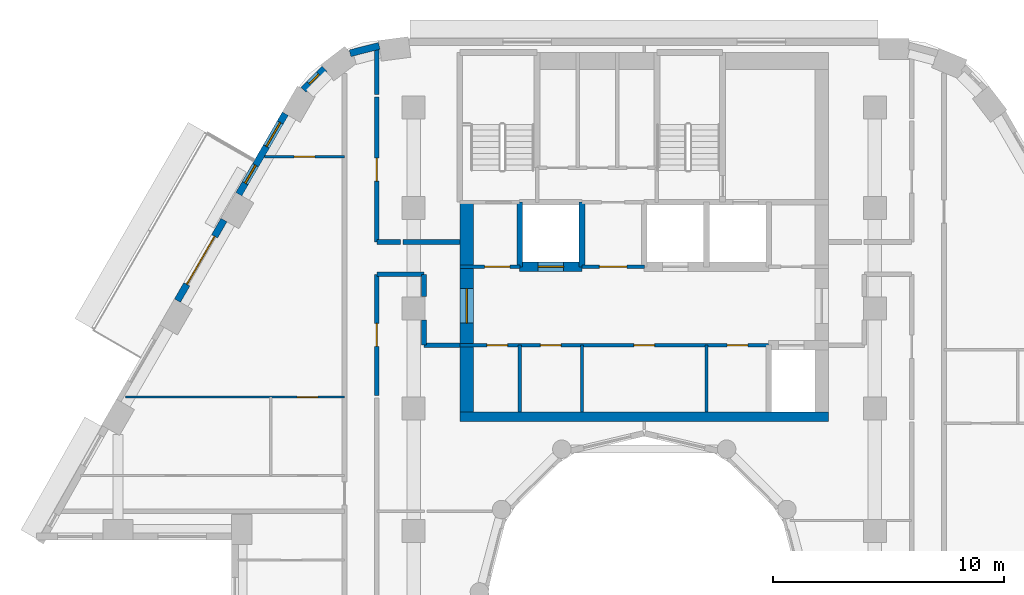
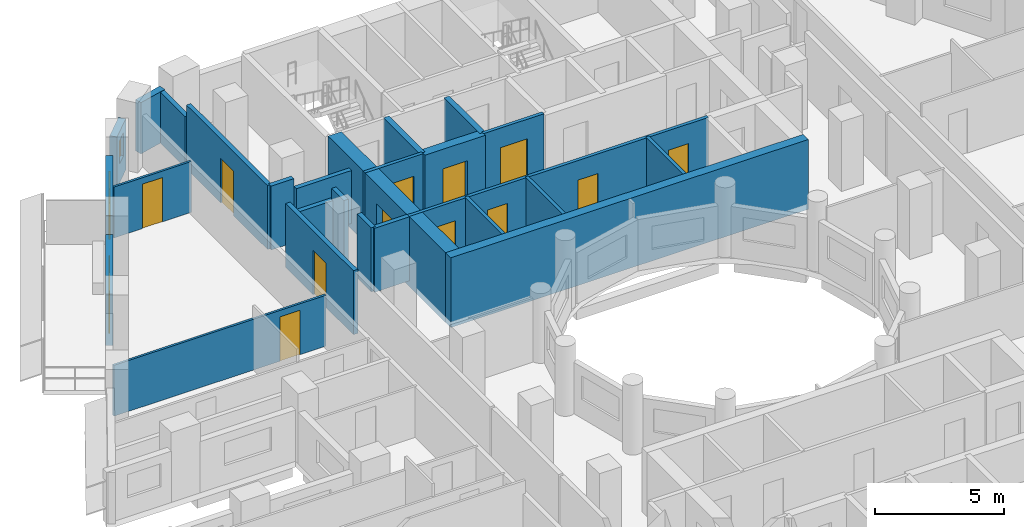
# One storey, part 7 of 13: 26 walls, 13 doors, 3 windows, 16 openings.
"""IFC4 building model written with IfcOpenShell, lengths in metres."""

from ifc_helpers import new_model, si_unit, direction, frame, frame_2d, origin, place, context, subcontext, project, spatial, rectangle, extrude, material, layer, layer_set, type_object, element, fill, save


model = new_model("IFC4")

# Units and contexts
model_context = context("Model", 3, precision=1e-05, world=origin(), true_north=direction((0.0, 1.0)))
body_context = subcontext(model_context, "Body", "Model", "MODEL_VIEW")
ifc_project = project(units=[si_unit("LENGTHUNIT", "METRE"), si_unit("AREAUNIT", "SQUARE_METRE"), si_unit("VOLUMEUNIT", "CUBIC_METRE"), si_unit("PLANEANGLEUNIT", "RADIAN"), si_unit("MASSUNIT", "GRAM", prefix="KILO")], contexts=[model_context])

# Site, building, storey
site_placement = place(None, origin())
site = spatial("IfcSite", under=ifc_project, at=site_placement, CompositionType="ELEMENT")
building_placement = place(site_placement, origin())
building = spatial("IfcBuilding", under=site, at=building_placement, Name="Nakaniwa Court", CompositionType="ELEMENT")
storey_placement = place(building_placement, frame((0.0, 0.0, 143.699951171875)))
storey = spatial("IfcBuildingStorey", under=building, at=storey_placement, Name="L37", CompositionType="ELEMENT", Elevation=143.699951171875)

# Walls
ifc_material_1 = material(Name="Acoustic double stud partition")
ifc_layer_1 = layer(ifc_material_1, 0.199951171875)
ifc_layer_set_1 = layer_set([ifc_layer_1], Name="Acoustic double stud partition")
wall_type_1 = type_object("IfcWallType", Name="Acoustic double stud partition 200", PredefinedType="PARTITIONING", material=ifc_layer_set_1)
wall_1_placement = place(storey_placement, frame((68.39990234375, 93.77490234375, 0.0), z_axis=(0.0, 0.0, 1.0), x_axis=(1.0, 0.0, 0.0)))
element("IfcWall", 1, at=wall_1_placement, inside=storey, type_object=wall_type_1, Name="Partition PW-092", PredefinedType="PARTITIONING", context=body_context, shape_type="SweptSolid", body=[
    extrude(rectangle(XDim=2.050048828125, YDim=0.199951171875, at=frame_2d((1.02490234375, 0.0))), origin(), (0.0, 0.0, 1.0), 2.505126953125),
])
wall_2_placement = place(storey_placement, frame((70.449951171875, 90.699951171875, 0.0), z_axis=(0.0, 0.0, 1.0), x_axis=(1.0, 0.0, 0.0)))
element("IfcWall", 2, at=wall_2_placement, inside=storey, type_object=wall_type_1, Name="Partition PW-094", PredefinedType="PARTITIONING", context=body_context, shape_type="SweptSolid", body=[
    extrude(rectangle(XDim=1.550048828125, YDim=0.199951171875, at=frame_2d((0.77490234375, 0.0))), origin(), (0.0, 0.0, 1.0), 3.025146484375),
])
wall_3_placement = place(storey_placement, frame((68.39990234375, 95.175048828125, 0.0), z_axis=(0.0, 0.0, 1.0), x_axis=(1.0, 0.0, 0.0)))
element("IfcWall", 3, at=wall_3_placement, inside=storey, type_object=wall_type_1, Name="Partition PW-096", PredefinedType="PARTITIONING", context=body_context, shape_type="SweptSolid", body=[
    extrude(rectangle(XDim=1.02294921875, YDim=0.199951171875, at=frame_2d((0.511474609375, 0.0))), origin(), (0.0, 0.0, 1.0), 3.025146484375),
])
wall_4_placement = place(storey_placement, frame((69.537109375, 95.175048828125, 0.0), z_axis=(0.0, 0.0, 1.0), x_axis=(1.0, 0.0, 0.0)))
element("IfcWall", 4, at=wall_4_placement, inside=storey, type_object=wall_type_1, Name="Partition PW-097", PredefinedType="PARTITIONING", context=body_context, shape_type="SweptSolid", body=[
    extrude(rectangle(XDim=2.462890625, YDim=0.199951171875, at=frame_2d((1.2314453125, 0.0))), origin(), (0.0, 0.0, 1.0), 2.505126953125),
])

# Wall, opening, door
wall_5_placement = place(storey_placement, frame((68.39990234375, 93.77490234375, 0.0), z_axis=(0.0, 0.0, 1.0), x_axis=(0.0, -1.0, 0.0)))
wall_5 = element("IfcWall", 5, at=wall_5_placement, inside=storey, type_object=wall_type_1, Name="Partition PW-105", PredefinedType="PARTITIONING", context=body_context, shape_type="SweptSolid", body=[
    extrude(rectangle(XDim=5.247802734375, YDim=0.199951171875, at=frame_2d((2.6240234375, 0.0))), origin(), (0.0, 0.0, 1.0), 3.025146484375),
])
opening_1_placement = place(wall_5_placement, frame((2.123046875, 0.0, 0.0)))
opening_1 = element("IfcOpeningElement", 6, at=opening_1_placement, cuts=wall_5, Name="Opening D-02-08", PredefinedType="OPENING", context=body_context, shape_type="SweptSolid", body=[
    extrude(rectangle(XDim=1.0, YDim=2.10009765625, at=frame_2d((0.5, 1.050048828125))), frame((0.0, 0.10986328125, 0.0), z_axis=(0.0, -1.0, 0.0), x_axis=(1.0, 0.0, 0.0)), (0.0, 0.0, 1.0), 0.219970703125),
])
ifc_material_2 = material(Name="Solid core timber door set, black veneer", Category="wood")
door_type_1 = type_object("IfcDoorType", Name="Internal door 1000", OperationType="NOTDEFINED", PredefinedType="DOOR", material=ifc_material_2)
door_1_placement = place(opening_1_placement, origin())
door_1 = element("IfcDoor", 7, at=door_1_placement, inside=storey, type_object=door_type_1, Name="Door D-02-08 L37-044", OperationType="SINGLE_SWING_LEFT", OverallHeight=2.10009765625, OverallWidth=1.0, PredefinedType="DOOR", context=body_context, shape_type="SweptSolid", body=[
    extrude(rectangle(XDim=1.0, YDim=2.10009765625, at=frame_2d((0.5, 1.050048828125))), frame((0.0, 0.02490234375, 0.0), z_axis=(0.0, -1.0, 0.0), x_axis=(1.0, 0.0, 0.0)), (0.0, 0.0, 1.0), 0.050048828125),
])
fill(opening_1, door_1)

wall_6_placement = place(storey_placement, frame((68.39990234375, 101.462890625, 0.0), z_axis=(0.0, 0.0, 1.0), x_axis=(0.0, -1.0, 0.0)))
wall_6 = element("IfcWall", 8, at=wall_6_placement, inside=storey, type_object=wall_type_1, Name="Partition PW-106", PredefinedType="PARTITIONING", context=body_context, shape_type="SweptSolid", body=[
    extrude(rectangle(XDim=6.287841796875, YDim=0.199951171875, at=frame_2d((3.14404296875, 0.0))), origin(), (0.0, 0.0, 1.0), 3.025146484375),
])
opening_2_placement = place(wall_6_placement, frame((2.64501953125, 0.0, 0.0)))
opening_2 = element("IfcOpeningElement", 9, at=opening_2_placement, cuts=wall_6, Name="Opening D-02-12", PredefinedType="OPENING", context=body_context, shape_type="SweptSolid", body=[
    extrude(rectangle(XDim=1.0, YDim=2.10009765625, at=frame_2d((0.5, 1.050048828125))), frame((0.0, 0.10986328125, 0.0), z_axis=(0.0, -1.0, 0.0), x_axis=(1.0, 0.0, 0.0)), (0.0, 0.0, 1.0), 0.219970703125),
])
door_2_placement = place(opening_2_placement, origin())
door_2 = element("IfcDoor", 10, at=door_2_placement, inside=storey, type_object=door_type_1, Name="Door D-02-12 L37-053", OperationType="SINGLE_SWING_RIGHT", OverallHeight=2.10009765625, OverallWidth=1.0, PredefinedType="DOOR", context=body_context, shape_type="SweptSolid", body=[
    extrude(rectangle(XDim=1.0, YDim=2.10009765625, at=frame_2d((0.5, 1.050048828125))), frame((0.0, 0.02490234375, 0.0), z_axis=(0.0, -1.0, 0.0), x_axis=(1.0, 0.0, 0.0)), (0.0, 0.0, 1.0), 0.050048828125),
])
fill(opening_2, door_2)

# Walls
wall_7_placement = place(storey_placement, frame((68.39990234375, 101.5771484375, 0.0), z_axis=(0.0, 0.0, 1.0), x_axis=(0.0, 1.0, 0.0)))
element("IfcWall", 11, at=wall_7_placement, inside=storey, type_object=wall_type_1, Name="Partition PW-107", PredefinedType="PARTITIONING", context=body_context, shape_type="SweptSolid", body=[
    extrude(rectangle(XDim=2.02197265625, YDim=0.199951171875, at=frame_2d((1.010986328125, 0.0))), origin(), (0.0, 0.0, 1.0), 2.405029296875),
])
wall_8_placement = place(storey_placement, frame((70.449951171875, 90.699951171875, 0.0), z_axis=(0.0, 0.0, 1.0), x_axis=(0.0, 1.0, 0.0)))
element("IfcWall", 12, at=wall_8_placement, inside=storey, type_object=wall_type_1, Name="Partition PW-111", PredefinedType="PARTITIONING", context=body_context, shape_type="SweptSolid", body=[
    extrude(rectangle(XDim=1.082763671875, YDim=0.199951171875, at=frame_2d((0.54150390625, 0.0))), origin(), (0.0, 0.0, 1.0), 3.025146484375),
])
wall_9_placement = place(storey_placement, frame((70.449951171875, 92.817138671875, 0.0), z_axis=(0.0, 0.0, 1.0), x_axis=(0.0, 1.0, 0.0)))
element("IfcWall", 13, at=wall_9_placement, inside=storey, type_object=wall_type_1, Name="Partition PW-112", PredefinedType="PARTITIONING", context=body_context, shape_type="SweptSolid", body=[
    extrude(rectangle(XDim=0.957763671875, YDim=0.199951171875, at=frame_2d((0.47900390625, 0.0))), origin(), (0.0, 0.0, 1.0), 3.025146484375),
])
ifc_material_3 = material(Name="Charcoal ceramic cladding")
ifc_layer_2 = layer(ifc_material_3, 0.02, Name="Ceramic cladding")
ifc_material_4 = material(Name="Ventilated air cavity")
ifc_layer_3 = layer(ifc_material_4, 0.04, ventilated=True, Name="Ventilated cavity")
ifc_material_5 = material(Name="Mineral wool insulation")
ifc_layer_4 = layer(ifc_material_5, 0.1, Name="Insulation")
ifc_material_6 = material(Name="Cement bonded sheathing board")
ifc_layer_5 = layer(ifc_material_6, 0.012, Name="Sheathing")
ifc_material_7 = material(Name="Cold-formed galvanised stud frame with mineral wool infill")
ifc_layer_6 = layer(ifc_material_7, 0.1, Name="Stud frame")
ifc_material_8 = material(Name="Fire-rated gypsum plasterboard lining")
ifc_layer_7 = layer(ifc_material_8, 0.028, Name="Lining")
ifc_layer_set_2 = layer_set([ifc_layer_2, ifc_layer_3, ifc_layer_4, ifc_layer_5, ifc_layer_6, ifc_layer_7], Name="Charcoal ceramic faced external wall system")
wall_type_2 = type_object("IfcWallType", Name="Black ceramic faced external wall 300", PredefinedType="SOLIDWALL", material=ifc_layer_set_2)
wall_10_placement = place(storey_placement, frame((68.506103515625, 103.68310546875, 0.0), z_axis=(0.0, 0.0, 1.0), x_axis=(-0.96924493129, -0.246098076322, 0.0)))
element("IfcWall", 14, at=wall_10_placement, inside=storey, type_object=wall_type_2, Name="L37 external wall 09", PredefinedType="SOLIDWALL", context=body_context, shape_type="SweptSolid", body=[
    extrude(rectangle(XDim=1.305419921875, YDim=0.300048828125, at=frame_2d((0.65283203125, 0.0))), origin(), (0.0, 0.0, 1.0), 2.425048828125),
])

# Wall, opening, window
wall_11_placement = place(storey_placement, frame((66.12890625, 102.68798828125, 0.0), z_axis=(0.0, 0.0, 1.0), x_axis=(-0.70881270082, -0.705396735997, 0.0)))
wall_11 = element("IfcWall", 15, at=wall_11_placement, inside=storey, type_object=wall_type_2, Name="L37 external wall 10", PredefinedType="SOLIDWALL", context=body_context, shape_type="SweptSolid", body=[
    extrude(rectangle(XDim=1.286376953125, YDim=0.300048828125, at=frame_2d((0.64306640625, 0.0))), origin(), (0.0, 0.0, 1.0), 2.425048828125),
])
opening_3_placement = place(wall_11_placement, frame((0.3330078125, 0.0, 0.89990234375)))
opening_3 = element("IfcOpeningElement", 16, at=opening_3_placement, cuts=wall_11, Name="Opening W8.11", PredefinedType="OPENING", context=body_context, shape_type="SweptSolid", body=[
    extrude(rectangle(XDim=0.60009765625, YDim=1.10009765625, at=frame_2d((0.300048828125, 0.550048828125))), frame((0.0, 0.159912109375, 0.0), z_axis=(0.0, -1.0, 0.0), x_axis=(1.0, 0.0, 0.0)), (0.0, 0.0, 1.0), 0.320068359375),
])
ifc_material_9 = material(Name="Black anodised aluminium frame with dark low-E laminated double glazing", Category="aluminium")
window_type_1 = type_object("IfcWindowType", Name="Dark glass window 600x1100 sill 900", PartitioningType="SINGLE_PANEL", PredefinedType="WINDOW", material=ifc_material_9)
window_1_placement = place(opening_3_placement, origin())
window_1 = element("IfcWindow", 17, at=window_1_placement, inside=storey, type_object=window_type_1, Name="L37 habitable room window 10-0", OverallHeight=1.10009765625, OverallWidth=0.60009765625, PartitioningType="SINGLE_PANEL", PredefinedType="WINDOW", context=body_context, shape_type="SweptSolid", body=[
    extrude(rectangle(XDim=0.60009765625, YDim=1.10009765625, at=frame_2d((0.300048828125, 0.550048828125))), frame((0.0, 0.030029296875, 0.0), z_axis=(0.0, -1.0, 0.0), x_axis=(1.0, 0.0, 0.0)), (0.0, 0.0, 1.0), 0.06005859375),
])
fill(opening_3, window_1)

# Wall, openings, windows
wall_12_placement = place(storey_placement, frame((64.434814453125, 100.739990234375, 0.0), z_axis=(0.0, 0.0, 1.0), x_axis=(-0.500031546601, -0.86600718958, 0.0)))
wall_12 = element("IfcWall", 18, at=wall_12_placement, inside=storey, type_object=wall_type_2, Name="L37 external wall 11", PredefinedType="SOLIDWALL", context=body_context, shape_type="SweptSolid", body=[
    extrude(rectangle(XDim=4.033935546875, YDim=0.300048828125, at=frame_2d((2.01708984375, 0.0))), origin(), (0.0, 0.0, 1.0), 2.425048828125),
])
opening_4_placement = place(wall_12_placement, frame((0.439453125, 0.0, 0.89990234375)))
opening_4 = element("IfcOpeningElement", 19, at=opening_4_placement, cuts=wall_12, Name="Opening W6.12", PredefinedType="OPENING", context=body_context, shape_type="SweptSolid", body=[
    extrude(rectangle(XDim=1.199951171875, YDim=1.10009765625, at=frame_2d((0.60009765625, 0.550048828125))), frame((0.0, 0.159912109375, 0.0), z_axis=(0.0, -1.0, 0.0), x_axis=(1.0, 0.0, 0.0)), (0.0, 0.0, 1.0), 0.320068359375),
])
opening_5_placement = place(wall_12_placement, frame((2.58251953125, 0.0, 0.89990234375)))
opening_5 = element("IfcOpeningElement", 20, at=opening_5_placement, cuts=wall_12, Name="Opening W9.13", PredefinedType="OPENING", context=body_context, shape_type="SweptSolid", body=[
    extrude(rectangle(XDim=0.89990234375, YDim=1.10009765625, at=frame_2d((0.449951171875, 0.550048828125))), frame((0.0, 0.159912109375, 0.0), z_axis=(0.0, -1.0, 0.0), x_axis=(1.0, 0.0, 0.0)), (0.0, 0.0, 1.0), 0.320068359375),
])
window_type_2 = type_object("IfcWindowType", Name="Dark glass window 1200x1100 sill 900", PartitioningType="SINGLE_PANEL", PredefinedType="WINDOW", material=ifc_material_9)
window_2_placement = place(opening_4_placement, origin())
window_2 = element("IfcWindow", 21, at=window_2_placement, inside=storey, type_object=window_type_2, Name="L37 habitable room window 11-0", OverallHeight=1.10009765625, OverallWidth=1.199951171875, PartitioningType="SINGLE_PANEL", PredefinedType="WINDOW", context=body_context, shape_type="SweptSolid", body=[
    extrude(rectangle(XDim=1.199951171875, YDim=1.10009765625, at=frame_2d((0.60009765625, 0.550048828125))), frame((0.0, 0.030029296875, 0.0), z_axis=(0.0, -1.0, 0.0), x_axis=(1.0, 0.0, 0.0)), (0.0, 0.0, 1.0), 0.06005859375),
])
fill(opening_4, window_2)
window_type_3 = type_object("IfcWindowType", Name="Dark glass window 900x1100 sill 900", PartitioningType="SINGLE_PANEL", PredefinedType="WINDOW", material=ifc_material_9)
window_3_placement = place(opening_5_placement, origin())
window_3 = element("IfcWindow", 22, at=window_3_placement, inside=storey, type_object=window_type_3, Name="L37 living window 11-1", OverallHeight=1.10009765625, OverallWidth=0.89990234375, PartitioningType="SINGLE_PANEL", PredefinedType="WINDOW", context=body_context, shape_type="SweptSolid", body=[
    extrude(rectangle(XDim=0.89990234375, YDim=1.10009765625, at=frame_2d((0.449951171875, 0.550048828125))), frame((0.0, 0.030029296875, 0.0), z_axis=(0.0, -1.0, 0.0), x_axis=(1.0, 0.0, 0.0)), (0.0, 0.0, 1.0), 0.06005859375),
])
fill(opening_5, window_3)

# Wall, opening, door
wall_13_placement = place(storey_placement, frame((61.771728515625, 96.127685546875, 0.0), z_axis=(0.0, 0.0, 1.0), x_axis=(-0.500031546601, -0.86600718958, 0.0)))
wall_13 = element("IfcWall", 23, at=wall_13_placement, inside=storey, type_object=wall_type_2, Name="L37 external wall 12", PredefinedType="SOLIDWALL", context=body_context, shape_type="SweptSolid", body=[
    extrude(rectangle(XDim=4.033935546875, YDim=0.300048828125, at=frame_2d((2.01708984375, 0.0))), origin(), (0.0, 0.0, 1.0), 2.425048828125),
])
opening_6_placement = place(wall_13_placement, frame((0.81689453125, 0.0, 0.0)))
opening_6 = element("IfcOpeningElement", 24, at=opening_6_placement, cuts=wall_13, Name="Opening XD13.01", PredefinedType="OPENING", context=body_context, shape_type="SweptSolid", body=[
    extrude(rectangle(XDim=2.39990234375, YDim=2.0, at=frame_2d((1.199951171875, 1.0))), frame((0.0, 0.159912109375, 0.0), z_axis=(0.0, -1.0, 0.0), x_axis=(1.0, 0.0, 0.0)), (0.0, 0.0, 1.0), 0.320068359375),
])
ifc_material_10 = material(Name="Black powder-coated aluminium frame with dark laminated glass", Category="aluminium")
door_type_2 = type_object("IfcDoorType", Name="Balcony sliding door 2400x2000", OperationType="DOUBLE_DOOR_SLIDING", PredefinedType="DOOR", material=ifc_material_10)
door_3_placement = place(opening_6_placement, origin())
door_3 = element("IfcDoor", 25, at=door_3_placement, inside=storey, type_object=door_type_2, Name="L37 balcony sliding door 01", OperationType="DOUBLE_DOOR_SLIDING", OverallHeight=2.0, OverallWidth=2.39990234375, PredefinedType="DOOR", context=body_context, shape_type="SweptSolid", body=[
    extrude(rectangle(XDim=2.39990234375, YDim=2.0, at=frame_2d((1.199951171875, 1.0))), frame((0.0, 0.02490234375, 0.0), z_axis=(0.0, -1.0, 0.0), x_axis=(1.0, 0.0, 0.0)), (0.0, 0.0, 1.0), 0.050048828125),
])
fill(opening_6, door_3)

# Wall
ifc_material_11 = material(Name="Blockwork partition", Category="masonry")
ifc_layer_8 = layer(ifc_material_11, 0.14990234375)
ifc_layer_set_3 = layer_set([ifc_layer_8], Name="Blockwork partition")
wall_type_3 = type_object("IfcWallType", Name="Blockwork partition 150", PredefinedType="PARTITIONING", material=ifc_layer_set_3)
wall_14_placement = place(storey_placement, frame((74.60009765625, 87.800048828125, 0.0), z_axis=(0.0, 0.0, 1.0), x_axis=(0.0, 1.0, 0.0)))
element("IfcWall", 26, at=wall_14_placement, inside=storey, type_object=wall_type_3, Name="Partition PW-001", PredefinedType="PARTITIONING", context=body_context, shape_type="SweptSolid", body=[
    extrude(rectangle(XDim=2.89990234375, YDim=0.14990234375, at=frame_2d((1.449951171875, 0.0))), origin(), (0.0, 0.0, 1.0), 3.025146484375),
])

# Wall, openings, doors
wall_15_placement = place(storey_placement, frame((85.39990234375, 90.699951171875, 0.0), z_axis=(0.0, 0.0, 1.0), x_axis=(-1.0, 0.0, 0.0)))
wall_15 = element("IfcWall", 27, at=wall_15_placement, inside=storey, type_object=wall_type_3, Name="Partition PW-002", PredefinedType="PARTITIONING", context=body_context, shape_type="SweptSolid", body=[
    extrude(rectangle(XDim=13.39990234375, YDim=0.14990234375, at=frame_2d((6.699951171875, 0.0))), origin(), (0.0, 0.0, 1.0), 3.025146484375),
])
opening_7_placement = place(wall_15_placement, frame((11.324951171875, 0.0, 0.0)))
opening_7 = element("IfcOpeningElement", 28, at=opening_7_placement, cuts=wall_15, Name="Opening D-05-01", PredefinedType="OPENING", context=body_context, shape_type="SweptSolid", body=[
    extrude(rectangle(XDim=0.89990234375, YDim=2.10009765625, at=frame_2d((0.449951171875, 1.050048828125))), frame((0.0, 0.0849609375, 0.0), z_axis=(0.0, -1.0, 0.0), x_axis=(1.0, 0.0, 0.0)), (0.0, 0.0, 1.0), 0.169921875),
])
opening_8_placement = place(wall_15_placement, frame((9.0, 0.0, 0.0)))
opening_8 = element("IfcOpeningElement", 29, at=opening_8_placement, cuts=wall_15, Name="Opening D-05-02", PredefinedType="OPENING", context=body_context, shape_type="SweptSolid", body=[
    extrude(rectangle(XDim=0.89990234375, YDim=2.10009765625, at=frame_2d((0.449951171875, 1.050048828125))), frame((0.0, 0.0849609375, 0.0), z_axis=(0.0, -1.0, 0.0), x_axis=(1.0, 0.0, 0.0)), (0.0, 0.0, 1.0), 0.169921875),
])
opening_9_placement = place(wall_15_placement, frame((4.949951171875, 0.0, 0.0)))
opening_9 = element("IfcOpeningElement", 30, at=opening_9_placement, cuts=wall_15, Name="Opening D-05-03", PredefinedType="OPENING", context=body_context, shape_type="SweptSolid", body=[
    extrude(rectangle(XDim=0.89990234375, YDim=2.10009765625, at=frame_2d((0.449951171875, 1.050048828125))), frame((0.0, 0.0849609375, 0.0), z_axis=(0.0, -1.0, 0.0), x_axis=(1.0, 0.0, 0.0)), (0.0, 0.0, 1.0), 0.169921875),
])
opening_10_placement = place(wall_15_placement, frame((0.89990234375, 0.0, 0.0)))
opening_10 = element("IfcOpeningElement", 31, at=opening_10_placement, cuts=wall_15, Name="Opening D-05-04", PredefinedType="OPENING", context=body_context, shape_type="SweptSolid", body=[
    extrude(rectangle(XDim=0.89990234375, YDim=2.10009765625, at=frame_2d((0.449951171875, 1.050048828125))), frame((0.0, 0.0849609375, 0.0), z_axis=(0.0, -1.0, 0.0), x_axis=(1.0, 0.0, 0.0)), (0.0, 0.0, 1.0), 0.169921875),
])
ifc_material_12 = material(Name="Fire rated steel door set", Category="steel")
door_type_3 = type_object("IfcDoorType", Name="Service room door 900", OperationType="NOTDEFINED", PredefinedType="DOOR", material=ifc_material_12)
door_4_placement = place(opening_7_placement, origin())
door_4 = element("IfcDoor", 32, at=door_4_placement, inside=storey, type_object=door_type_3, Name="Door D-05-01 L37-001", OperationType="SINGLE_SWING_RIGHT", OverallHeight=2.10009765625, OverallWidth=0.89990234375, PredefinedType="DOOR", context=body_context, shape_type="SweptSolid", body=[
    extrude(rectangle(XDim=0.89990234375, YDim=2.10009765625, at=frame_2d((0.449951171875, 1.050048828125))), frame((0.0, 0.02490234375, 0.0), z_axis=(0.0, -1.0, 0.0), x_axis=(1.0, 0.0, 0.0)), (0.0, 0.0, 1.0), 0.050048828125),
])
fill(opening_7, door_4)
door_5_placement = place(opening_8_placement, origin())
door_5 = element("IfcDoor", 33, at=door_5_placement, inside=storey, type_object=door_type_3, Name="Door D-05-02 L37-002", OperationType="SINGLE_SWING_LEFT", OverallHeight=2.10009765625, OverallWidth=0.89990234375, PredefinedType="DOOR", context=body_context, shape_type="SweptSolid", body=[
    extrude(rectangle(XDim=0.89990234375, YDim=2.10009765625, at=frame_2d((0.449951171875, 1.050048828125))), frame((0.0, 0.02490234375, 0.0), z_axis=(0.0, -1.0, 0.0), x_axis=(1.0, 0.0, 0.0)), (0.0, 0.0, 1.0), 0.050048828125),
])
fill(opening_8, door_5)
door_6_placement = place(opening_9_placement, origin())
door_6 = element("IfcDoor", 34, at=door_6_placement, inside=storey, type_object=door_type_3, Name="Door D-05-03 L37-003", OperationType="SINGLE_SWING_RIGHT", OverallHeight=2.10009765625, OverallWidth=0.89990234375, PredefinedType="DOOR", context=body_context, shape_type="SweptSolid", body=[
    extrude(rectangle(XDim=0.89990234375, YDim=2.10009765625, at=frame_2d((0.449951171875, 1.050048828125))), frame((0.0, 0.02490234375, 0.0), z_axis=(0.0, -1.0, 0.0), x_axis=(1.0, 0.0, 0.0)), (0.0, 0.0, 1.0), 0.050048828125),
])
fill(opening_9, door_6)
door_7_placement = place(opening_10_placement, origin())
door_7 = element("IfcDoor", 35, at=door_7_placement, inside=storey, type_object=door_type_3, Name="Door D-05-04 L37-004", OperationType="SINGLE_SWING_LEFT", OverallHeight=2.10009765625, OverallWidth=0.89990234375, PredefinedType="DOOR", context=body_context, shape_type="SweptSolid", body=[
    extrude(rectangle(XDim=0.89990234375, YDim=2.10009765625, at=frame_2d((0.449951171875, 1.050048828125))), frame((0.0, 0.02490234375, 0.0), z_axis=(0.0, -1.0, 0.0), x_axis=(1.0, 0.0, 0.0)), (0.0, 0.0, 1.0), 0.050048828125),
])
fill(opening_10, door_7)

# Walls
for number, where, z_axis, x_axis, name in (
    (36, (77.300048828125, 87.800048828125, 0.0), (0.0, 0.0, 1.0), (0.0, 1.0, 0.0), "Partition PW-008"),
    (37, (82.699951171875, 87.800048828125, 0.0), (0.0, 0.0, 1.0), (0.0, 1.0, 0.0), "Partition PW-009"),
):
    element("IfcWall", number, at=place(storey_placement, frame(where, z_axis=z_axis, x_axis=x_axis)), inside=storey, type_object=wall_type_3, Name=name, PredefinedType="PARTITIONING", context=body_context, shape_type="SweptSolid", body=[
        extrude(rectangle(XDim=2.89990234375, YDim=0.14990234375, at=frame_2d((1.449951171875, 0.0))), origin(), (0.0, 0.0, 1.0), 3.025146484375),
    ])

# Wall, opening, door
wall_16_placement = place(storey_placement, frame((72.0, 94.10009765625, 0.0), z_axis=(0.0, 0.0, 1.0), x_axis=(1.0, 0.0, 0.0)))
wall_16 = element("IfcWall", 38, at=wall_16_placement, inside=storey, type_object=wall_type_3, Name="Partition PW-010", PredefinedType="PARTITIONING", context=body_context, shape_type="SweptSolid", body=[
    extrude(rectangle(XDim=2.60302734375, YDim=0.14990234375, at=frame_2d((1.301513671875, 0.0))), origin(), (0.0, 0.0, 1.0), 3.025146484375),
])
opening_11_placement = place(wall_16_placement, frame((1.074951171875, 0.0, 0.0)))
opening_11 = element("IfcOpeningElement", 39, at=opening_11_placement, cuts=wall_16, Name="Opening D-08-01", PredefinedType="OPENING", context=body_context, shape_type="SweptSolid", body=[
    extrude(rectangle(XDim=1.10009765625, YDim=2.10009765625, at=frame_2d((0.550048828125, 1.050048828125))), frame((0.0, 0.0849609375, 0.0), z_axis=(0.0, -1.0, 0.0), x_axis=(1.0, 0.0, 0.0)), (0.0, 0.0, 1.0), 0.169921875),
])
door_type_4 = type_object("IfcDoorType", Name="Stair lobby door 1100", OperationType="NOTDEFINED", PredefinedType="DOOR", material=ifc_material_12)
door_8_placement = place(opening_11_placement, origin())
door_8 = element("IfcDoor", 40, at=door_8_placement, inside=storey, type_object=door_type_4, Name="Door D-08-01 L37-005", OperationType="SINGLE_SWING_RIGHT", OverallHeight=2.10009765625, OverallWidth=1.10009765625, PredefinedType="DOOR", context=body_context, shape_type="SweptSolid", body=[
    extrude(rectangle(XDim=1.10009765625, YDim=2.10009765625, at=frame_2d((0.550048828125, 1.050048828125))), frame((0.0, 0.02490234375, 0.0), z_axis=(0.0, -1.0, 0.0), x_axis=(1.0, 0.0, 0.0)), (0.0, 0.0, 1.0), 0.050048828125),
])
fill(opening_11, door_8)

wall_17_placement = place(storey_placement, frame((77.297119140625, 94.10009765625, 0.0), z_axis=(0.0, 0.0, 1.0), x_axis=(1.0, 0.0, 0.0)))
wall_17 = element("IfcWall", 41, at=wall_17_placement, inside=storey, type_object=wall_type_3, Name="Partition PW-011", PredefinedType="PARTITIONING", context=body_context, shape_type="SweptSolid", body=[
    extrude(rectangle(XDim=2.705810546875, YDim=0.14990234375, at=frame_2d((1.35302734375, 0.0))), origin(), (0.0, 0.0, 1.0), 3.025146484375),
])
opening_12_placement = place(wall_17_placement, frame((0.7529296875, 0.0, 0.0)))
opening_12 = element("IfcOpeningElement", 42, at=opening_12_placement, cuts=wall_17, Name="Opening D-06-01", PredefinedType="OPENING", context=body_context, shape_type="SweptSolid", body=[
    extrude(rectangle(XDim=1.199951171875, YDim=2.10009765625, at=frame_2d((0.60009765625, 1.050048828125))), frame((0.0, 0.0849609375, 0.0), z_axis=(0.0, -1.0, 0.0), x_axis=(1.0, 0.0, 0.0)), (0.0, 0.0, 1.0), 0.169921875),
])
ifc_material_13 = material(Name="Fire rated steel double door set", Category="steel")
door_type_5 = type_object("IfcDoorType", Name="Service passage double door 1200", OperationType="NOTDEFINED", PredefinedType="DOOR", material=ifc_material_13)
door_9_placement = place(opening_12_placement, origin())
door_9 = element("IfcDoor", 43, at=door_9_placement, inside=storey, type_object=door_type_5, Name="Door D-06-01 L37-006", OperationType="DOUBLE_DOOR_SINGLE_SWING", OverallHeight=2.10009765625, OverallWidth=1.199951171875, PredefinedType="DOOR", context=body_context, shape_type="SweptSolid", body=[
    extrude(rectangle(XDim=1.199951171875, YDim=2.10009765625, at=frame_2d((0.60009765625, 1.050048828125))), frame((0.0, 0.02490234375, 0.0), z_axis=(0.0, -1.0, 0.0), x_axis=(1.0, 0.0, 0.0)), (0.0, 0.0, 1.0), 0.050048828125),
])
fill(opening_12, door_9)

ifc_material_14 = material(Name="Concrete C80/100", Category="concrete")
ifc_layer_9 = layer(ifc_material_14, 0.60009765625)
ifc_layer_set_4 = layer_set([ifc_layer_9], Name="Concrete C80/100")
wall_type_4 = type_object("IfcWallType", Name="Concrete core side wall 600 C80", PredefinedType="SHEAR", material=ifc_layer_set_4)
wall_18_placement = place(storey_placement, frame((72.300048828125, 87.800048828125, -0.27490234375), z_axis=(0.0, 0.0, 1.0), x_axis=(0.0, 1.0, 0.0)))
wall_18 = element("IfcWall", 44, at=wall_18_placement, inside=storey, type_object=wall_type_4, Name="Core wall SW-03", PredefinedType="SHEAR", context=body_context, shape_type="SweptSolid", body=[
    extrude(rectangle(XDim=9.099853515625, YDim=0.60009765625, at=frame_2d((4.5498046875, 0.0))), origin(), (0.0, 0.0, 1.0), 3.300048828125),
])
opening_13_placement = place(wall_18_placement, frame((3.85205078125, 0.0, 0.27490234375)))
opening_13 = element("IfcOpeningElement", 45, at=opening_13_placement, cuts=wall_18, Name="Opening D-07-02", PredefinedType="OPENING", context=body_context, shape_type="SweptSolid", body=[
    extrude(rectangle(XDim=1.5, YDim=2.10009765625, at=frame_2d((0.75, 1.050048828125))), frame((0.0, 0.31005859375, 0.0), z_axis=(0.0, -1.0, 0.0), x_axis=(1.0, 0.0, 0.0)), (0.0, 0.0, 1.0), 0.6201171875),
])
ifc_material_15 = material(Name="Glazed fire rated steel double door set", Category="steel")
door_type_6 = type_object("IfcDoorType", Name="Lobby double door 1500", OperationType="NOTDEFINED", PredefinedType="DOOR", material=ifc_material_15)
door_10_placement = place(opening_13_placement, origin())
door_10 = element("IfcDoor", 46, at=door_10_placement, inside=storey, type_object=door_type_6, Name="Door D-07-02 L37-055", OperationType="DOUBLE_DOOR_SINGLE_SWING", OverallHeight=2.10009765625, OverallWidth=1.5, PredefinedType="DOOR", context=body_context, shape_type="SweptSolid", body=[
    extrude(rectangle(XDim=1.5, YDim=2.10009765625, at=frame_2d((0.75, 1.050048828125))), frame((0.0, 0.02490234375, 0.0), z_axis=(0.0, -1.0, 0.0), x_axis=(1.0, 0.0, 0.0)), (0.0, 0.0, 1.0), 0.050048828125),
])
fill(opening_13, door_10)

ifc_layer_10 = layer(ifc_material_14, 0.39990234375)
ifc_layer_set_5 = layer_set([ifc_layer_10], Name="Concrete C80/100")
wall_type_5 = type_object("IfcWallType", Name="Concrete core spine wall 400 C80", PredefinedType="SHEAR", material=ifc_layer_set_5)
wall_19_placement = place(storey_placement, frame((74.596923828125, 94.10009765625, -0.27490234375), z_axis=(0.0, 0.0, 1.0), x_axis=(1.0, 0.0, 0.0)))
wall_19 = element("IfcWall", 47, at=wall_19_placement, inside=storey, type_object=wall_type_5, Name="Core wall SW-13", PredefinedType="SHEAR", context=body_context, shape_type="SweptSolid", body=[
    extrude(rectangle(XDim=2.7060546875, YDim=0.39990234375, at=frame_2d((1.35302734375, 0.0))), origin(), (0.0, 0.0, 1.0), 3.300048828125),
])
opening_14_placement = place(wall_19_placement, frame((0.802978515625, 0.0, 0.27490234375)))
opening_14 = element("IfcOpeningElement", 48, at=opening_14_placement, cuts=wall_19, Name="Opening LD02", PredefinedType="OPENING", context=body_context, shape_type="SweptSolid", body=[
    extrude(rectangle(XDim=1.10009765625, YDim=2.10009765625, at=frame_2d((0.550048828125, 1.050048828125))), frame((0.0, 0.2099609375, 0.0), z_axis=(0.0, -1.0, 0.0), x_axis=(1.0, 0.0, 0.0)), (0.0, 0.0, 1.0), 0.419921875),
])
ifc_material_16 = material(Name="Stainless steel sliding lift landing door", Category="steel")
door_type_7 = type_object("IfcDoorType", Name="Lift landing door 1100", OperationType="NOTDEFINED", PredefinedType="DOOR", material=ifc_material_16)
door_11_placement = place(opening_14_placement, origin())
door_11 = element("IfcDoor", 49, at=door_11_placement, inside=storey, type_object=door_type_7, Name="Lift landing door LD02 L37-002", OperationType="SLIDING_TO_LEFT", OverallHeight=2.10009765625, OverallWidth=1.10009765625, PredefinedType="DOOR", context=body_context, shape_type="SweptSolid", body=[
    extrude(rectangle(XDim=1.10009765625, YDim=2.10009765625, at=frame_2d((0.550048828125, 1.050048828125))), frame((0.0, 0.02490234375, 0.0), z_axis=(0.0, -1.0, 0.0), x_axis=(1.0, 0.0, 0.0)), (0.0, 0.0, 1.0), 0.050048828125),
])
fill(opening_14, door_11)

# Walls
ifc_layer_11 = layer(ifc_material_14, 0.39990234375)
ifc_layer_set_6 = layer_set([ifc_layer_11], Name="Concrete C80/100")
wall_type_6 = type_object("IfcWallType", Name="Concrete core well wall 400 C80", PredefinedType="SHEAR", material=ifc_layer_set_6)
wall_20_placement = place(storey_placement, frame((72.00390625, 87.60009765625, -0.27490234375), z_axis=(0.0, 0.0, 1.0), x_axis=(1.0, 0.0, 0.0)))
element("IfcWall", 50, at=wall_20_placement, inside=storey, type_object=wall_type_6, Name="Core wall SW-138", PredefinedType="SHEAR", context=body_context, shape_type="SweptSolid", body=[
    extrude(rectangle(XDim=15.9921875, YDim=0.39990234375, at=frame_2d((7.99609375, 0.0))), origin(), (0.0, 0.0, 1.0), 3.300048828125),
])
ifc_layer_12 = layer(ifc_material_14, 0.25)
ifc_layer_set_7 = layer_set([ifc_layer_12], Name="Concrete C80/100")
wall_type_7 = type_object("IfcWallType", Name="Concrete shaft wall 250 C80", PredefinedType="SHEAR", material=ifc_layer_set_7)
for number, where, z_axis, x_axis, name in (
    (51, (74.60009765625, 94.10009765625, -0.27490234375), (0.0, 0.0, 1.0), (0.0, 1.0, 0.0), "Core wall SW-15"),
    (52, (77.300048828125, 94.10009765625, -0.27490234375), (0.0, 0.0, 1.0), (0.0, 1.0, 0.0), "Core wall SW-17"),
):
    element("IfcWall", number, at=place(storey_placement, frame(where, z_axis=z_axis, x_axis=x_axis)), inside=storey, type_object=wall_type_7, Name=name, PredefinedType="SHEAR", context=body_context, shape_type="SweptSolid", body=[
        extrude(rectangle(XDim=2.7998046875, YDim=0.25, at=frame_2d((1.39990234375, 0.0))), origin(), (0.0, 0.0, 1.0), 3.300048828125),
    ])

# Wall, opening, door
ifc_material_17 = material(Name="Single stud plasterboard partition")
ifc_layer_13 = layer(ifc_material_17, 0.10009765625)
ifc_layer_set_8 = layer_set([ifc_layer_13], Name="Single stud plasterboard partition")
wall_type_8 = type_object("IfcWallType", Name="Single stud plasterboard partition 100", PredefinedType="PARTITIONING", material=ifc_layer_set_8)
wall_21_placement = place(storey_placement, frame((57.51220703125, 88.449951171875, 0.0), z_axis=(0.0, 0.0, 1.0), x_axis=(1.0, 0.0, 0.0)))
wall_21 = element("IfcWall", 53, at=wall_21_placement, inside=storey, type_object=wall_type_8, Name="Partition PW-134", PredefinedType="PARTITIONING", context=body_context, shape_type="SweptSolid", body=[
    extrude(rectangle(XDim=9.48681640625, YDim=0.10009765625, at=frame_2d((4.743408203125, 0.0))), origin(), (0.0, 0.0, 1.0), 2.405029296875),
])
opening_15_placement = place(wall_21_placement, frame((7.43505859375, 0.0, 0.0)))
opening_15 = element("IfcOpeningElement", 54, at=opening_15_placement, cuts=wall_21, Name="Opening D-33-08", PredefinedType="OPENING", context=body_context, shape_type="SweptSolid", body=[
    extrude(rectangle(XDim=0.89990234375, YDim=2.10009765625, at=frame_2d((0.449951171875, 1.050048828125))), frame((0.0, 0.06005859375, 0.0), z_axis=(0.0, -1.0, 0.0), x_axis=(1.0, 0.0, 0.0)), (0.0, 0.0, 1.0), 0.1201171875),
])
door_type_8 = type_object("IfcDoorType", Name="Internal door 900", OperationType="NOTDEFINED", PredefinedType="DOOR", material=ifc_material_2)
door_12_placement = place(opening_15_placement, origin())
door_12 = element("IfcDoor", 55, at=door_12_placement, inside=storey, type_object=door_type_8, Name="Door D-33-08 L37-048", OperationType="SINGLE_SWING_LEFT", OverallHeight=2.10009765625, OverallWidth=0.89990234375, PredefinedType="DOOR", context=body_context, shape_type="SweptSolid", body=[
    extrude(rectangle(XDim=0.89990234375, YDim=2.10009765625, at=frame_2d((0.449951171875, 1.050048828125))), frame((0.0, 0.02490234375, 0.0), z_axis=(0.0, -1.0, 0.0), x_axis=(1.0, 0.0, 0.0)), (0.0, 0.0, 1.0), 0.050048828125),
])
fill(opening_15, door_12)

wall_22_placement = place(storey_placement, frame((63.531494140625, 98.8759765625, 0.0), z_axis=(0.0, 0.0, 1.0), x_axis=(1.0, 0.0, 0.0)))
wall_22 = element("IfcWall", 56, at=wall_22_placement, inside=storey, type_object=wall_type_8, Name="Partition PW-135", PredefinedType="PARTITIONING", context=body_context, shape_type="SweptSolid", body=[
    extrude(rectangle(XDim=3.467529296875, YDim=0.10009765625, at=frame_2d((1.73388671875, 0.0))), origin(), (0.0, 0.0, 1.0), 2.405029296875),
])
opening_16_placement = place(wall_22_placement, frame((1.283935546875, 0.0, 0.0)))
opening_16 = element("IfcOpeningElement", 57, at=opening_16_placement, cuts=wall_22, Name="Opening D-33-09", PredefinedType="OPENING", context=body_context, shape_type="SweptSolid", body=[
    extrude(rectangle(XDim=0.89990234375, YDim=2.10009765625, at=frame_2d((0.449951171875, 1.050048828125))), frame((0.0, 0.06005859375, 0.0), z_axis=(0.0, -1.0, 0.0), x_axis=(1.0, 0.0, 0.0)), (0.0, 0.0, 1.0), 0.1201171875),
])
door_13_placement = place(opening_16_placement, origin())
door_13 = element("IfcDoor", 58, at=door_13_placement, inside=storey, type_object=door_type_8, Name="Door D-33-09 L37-049", OperationType="SINGLE_SWING_RIGHT", OverallHeight=2.10009765625, OverallWidth=0.89990234375, PredefinedType="DOOR", context=body_context, shape_type="SweptSolid", body=[
    extrude(rectangle(XDim=0.89990234375, YDim=2.10009765625, at=frame_2d((0.449951171875, 1.050048828125))), frame((0.0, 0.02490234375, 0.0), z_axis=(0.0, -1.0, 0.0), x_axis=(1.0, 0.0, 0.0)), (0.0, 0.0, 1.0), 0.050048828125),
])
fill(opening_16, door_13)

save(model, "model.ifc")
